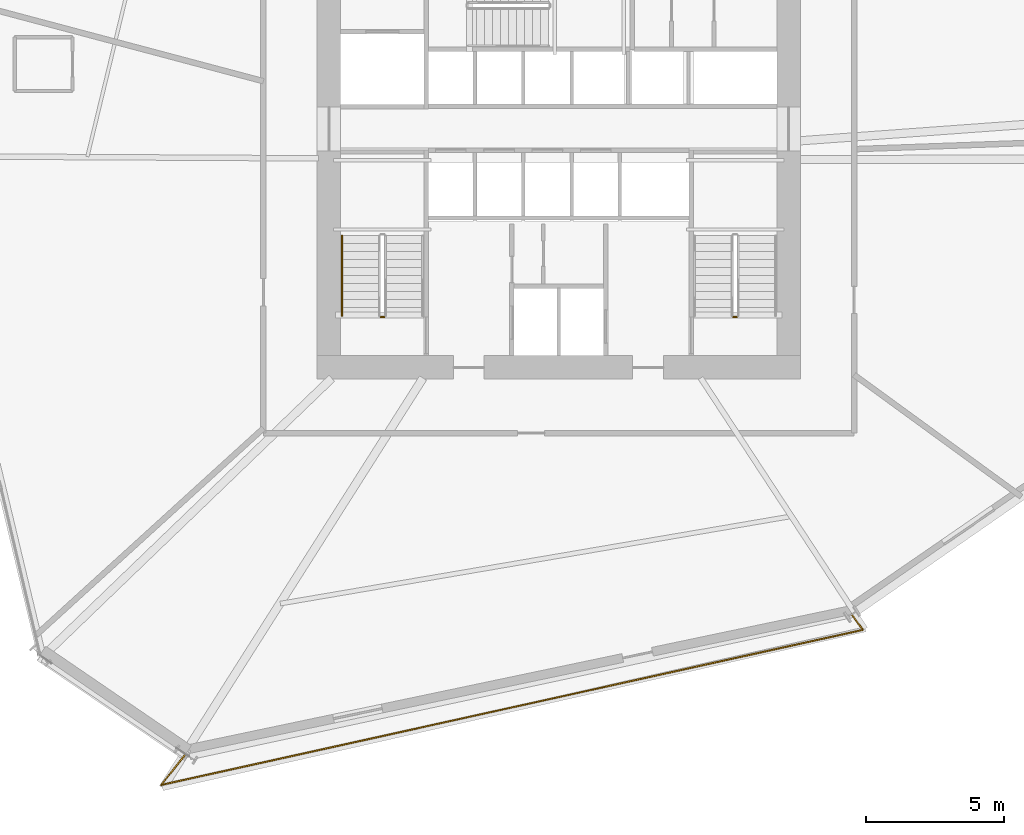
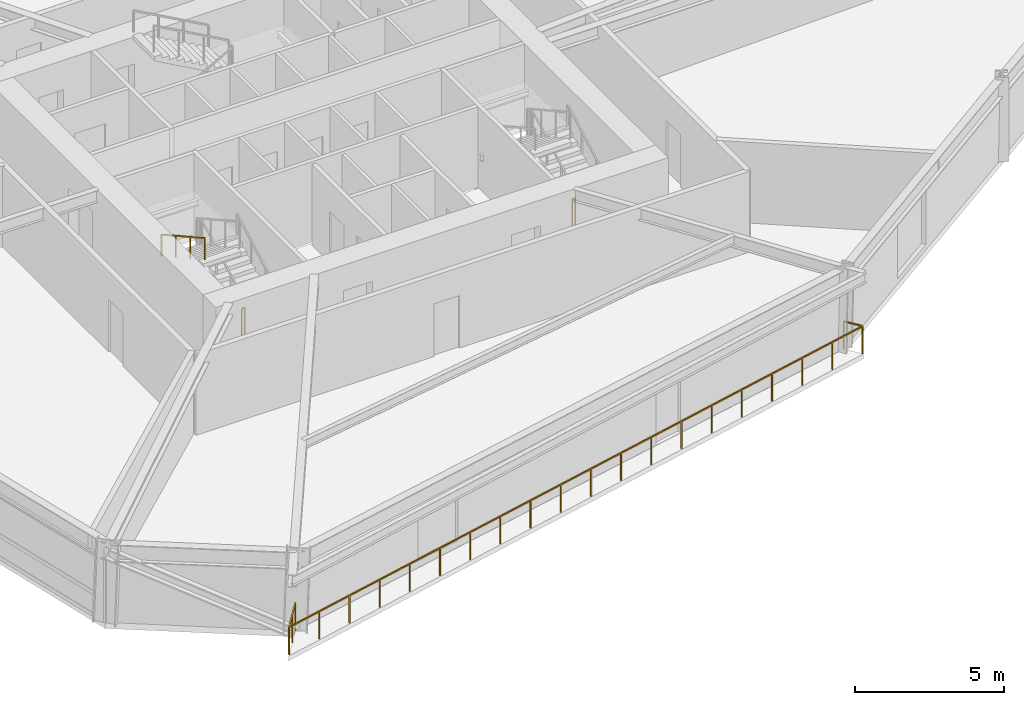
# One storey, part 21 of 24: 4 railings.
"""IFC4 building model written with IfcOpenShell, lengths in metres."""

from ifc_helpers import new_model, si_unit, direction, frame, origin, origin_2d, place, context, subcontext, project, spatial, rectangle, extrude, material, type_object, element, save


model = new_model("IFC4")

# Units and contexts
model_context = context("Model", 3, precision=1e-05, world=origin(), true_north=direction((0.0, 1.0)))
body_context = subcontext(model_context, "Body", "Model", "MODEL_VIEW")
ifc_project = project(units=[si_unit("LENGTHUNIT", "METRE"), si_unit("AREAUNIT", "SQUARE_METRE"), si_unit("VOLUMEUNIT", "CUBIC_METRE"), si_unit("PLANEANGLEUNIT", "RADIAN"), si_unit("MASSUNIT", "GRAM", prefix="KILO")], contexts=[model_context])

# Site, building, storey
site_placement = place(None, origin())
site = spatial("IfcSite", under=ifc_project, at=site_placement, CompositionType="ELEMENT")
building_placement = place(site_placement, origin())
building = spatial("IfcBuilding", under=site, at=building_placement, Name="Olszyna Solenne Hotel", CompositionType="ELEMENT")
storey_placement = place(building_placement, frame((0.0, 0.0, 36.39990234375)))
storey = spatial("IfcBuildingStorey", under=building, at=storey_placement, Name="L08", CompositionType="ELEMENT", Elevation=36.39990234375)

# Railings
ifc_material_1 = material(Name="Anodised bronze aluminium", Category="aluminium")
railing_type_1 = type_object("IfcRailingType", Name="GR-110", PredefinedType="BALUSTRADE", material=ifc_material_1)
railing_1_placement = place(storey_placement, frame((24.4794921875, 5.0615234375, 0.0)))
element("IfcRailing", 1, at=railing_1_placement, inside=storey, type_object=railing_type_1, Name="Loggia balcony balustrade guard GR-L08-LG3", PredefinedType="BALUSTRADE", context=body_context, shape_type="SweptSolid", body=[
    extrude(rectangle(XDim=0.048095703125, YDim=0.048095703125, at=origin_2d()), frame((0.0, 0.0, 1.1259765625), z_axis=(-0.622425324872, -0.782679190319, 0.0), x_axis=(0.782679190319, -0.622425324872, 0.0)), (0.0, 0.0, 1.0), 1.41845703125),
    extrude(rectangle(XDim=0.048095703125, YDim=0.048095703125, at=origin_2d()), frame((-0.8828125, -1.110107421875, 1.1259765625), z_axis=(0.976434222361, 0.215815220507, 0.0), x_axis=(-0.215815220507, 0.976434222361, 0.0)), (0.0, 0.0, 1.0), 26.033447265625),
    extrude(rectangle(XDim=0.048095703125, YDim=0.048095703125, at=origin_2d()), frame((24.537109375, 4.50830078125, 1.1259765625), z_axis=(-0.586549848515, 0.809913128185, 0.0), x_axis=(-0.809913128185, -0.586549848515, 0.0)), (0.0, 0.0, 1.0), 0.689697265625),
    extrude(rectangle(XDim=0.0419921875, YDim=0.0419921875, at=origin_2d()), origin(), (0.0, 0.0, 1.0), 1.101806640625),
    extrude(rectangle(XDim=0.0419921875, YDim=0.0419921875, at=origin_2d()), frame((-0.44140625, -0.55517578125, 0.0)), (0.0, 0.0, 1.0), 1.101806640625),
    extrude(rectangle(XDim=0.0419921875, YDim=0.0419921875, at=origin_2d()), frame((-0.8828125, -1.110107421875, 0.0)), (0.0, 0.0, 1.0), 1.101806640625),
    extrude(rectangle(XDim=0.0419921875, YDim=0.0419921875, at=origin_2d()), frame((0.455078125, -0.814453125, 0.0)), (0.0, 0.0, 1.0), 1.101806640625),
    extrude(rectangle(XDim=0.0419921875, YDim=0.0419921875, at=origin_2d()), frame((1.79296875, -0.518798828125, 0.0)), (0.0, 0.0, 1.0), 1.101806640625),
    extrude(rectangle(XDim=0.0419921875, YDim=0.0419921875, at=origin_2d()), frame((3.130859375, -0.222900390625, 0.0)), (0.0, 0.0, 1.0), 1.101806640625),
    extrude(rectangle(XDim=0.0419921875, YDim=0.0419921875, at=origin_2d()), frame((4.46875, 0.07275390625, 0.0)), (0.0, 0.0, 1.0), 1.101806640625),
    extrude(rectangle(XDim=0.0419921875, YDim=0.0419921875, at=origin_2d()), frame((5.806640625, 0.368408203125, 0.0)), (0.0, 0.0, 1.0), 1.101806640625),
    extrude(rectangle(XDim=0.0419921875, YDim=0.0419921875, at=origin_2d()), frame((7.14453125, 0.6640625, 0.0)), (0.0, 0.0, 1.0), 1.101806640625),
    extrude(rectangle(XDim=0.0419921875, YDim=0.0419921875, at=origin_2d()), frame((8.482421875, 0.959716796875, 0.0)), (0.0, 0.0, 1.0), 1.101806640625),
    extrude(rectangle(XDim=0.0419921875, YDim=0.0419921875, at=origin_2d()), frame((9.8203125, 1.255615234375, 0.0)), (0.0, 0.0, 1.0), 1.101806640625),
    extrude(rectangle(XDim=0.0419921875, YDim=0.0419921875, at=origin_2d()), frame((11.158203125, 1.55126953125, 0.0)), (0.0, 0.0, 1.0), 1.101806640625),
    extrude(rectangle(XDim=0.0419921875, YDim=0.0419921875, at=origin_2d()), frame((12.49609375, 1.846923828125, 0.0)), (0.0, 0.0, 1.0), 1.101806640625),
    extrude(rectangle(XDim=0.0419921875, YDim=0.0419921875, at=origin_2d()), frame((13.833984375, 2.142578125, 0.0)), (0.0, 0.0, 1.0), 1.101806640625),
    extrude(rectangle(XDim=0.0419921875, YDim=0.0419921875, at=origin_2d()), frame((15.171875, 2.4384765625, 0.0)), (0.0, 0.0, 1.0), 1.101806640625),
    extrude(rectangle(XDim=0.0419921875, YDim=0.0419921875, at=origin_2d()), frame((16.509765625, 2.734130859375, 0.0)), (0.0, 0.0, 1.0), 1.101806640625),
    extrude(rectangle(XDim=0.0419921875, YDim=0.0419921875, at=origin_2d()), frame((17.84765625, 3.02978515625, 0.0)), (0.0, 0.0, 1.0), 1.101806640625),
    extrude(rectangle(XDim=0.0419921875, YDim=0.0419921875, at=origin_2d()), frame((19.185546875, 3.325439453125, 0.0)), (0.0, 0.0, 1.0), 1.101806640625),
    extrude(rectangle(XDim=0.0419921875, YDim=0.0419921875, at=origin_2d()), frame((20.5234375, 3.62109375, 0.0)), (0.0, 0.0, 1.0), 1.101806640625),
    extrude(rectangle(XDim=0.0419921875, YDim=0.0419921875, at=origin_2d()), frame((21.861328125, 3.9169921875, 0.0)), (0.0, 0.0, 1.0), 1.101806640625),
    extrude(rectangle(XDim=0.0419921875, YDim=0.0419921875, at=origin_2d()), frame((23.19921875, 4.212646484375, 0.0)), (0.0, 0.0, 1.0), 1.101806640625),
    extrude(rectangle(XDim=0.0419921875, YDim=0.0419921875, at=origin_2d()), frame((24.537109375, 4.50830078125, 0.0)), (0.0, 0.0, 1.0), 1.101806640625),
    extrude(rectangle(XDim=0.0419921875, YDim=0.0419921875, at=origin_2d()), frame((24.132568359375, 5.06689453125, 0.0)), (0.0, 0.0, 1.0), 1.101806640625),
])
for number, where, name in (
    (2, (31.669921875, 20.89990234375, 0.0), "L08 ST1 stair guard 4"),
    (3, (44.449951171875, 20.89990234375, 0.0), "L08 ST2 stair guard 4"),
):
    element("IfcRailing", number, at=place(storey_placement, frame(where)), inside=storey, type_object=railing_type_1, Name=name, PredefinedType="BALUSTRADE", context=body_context, shape_type="SweptSolid", body=[
        extrude(rectangle(XDim=0.048095703125, YDim=0.048095703125, at=origin_2d()), frame((0.0, 0.0, 1.076171875), z_axis=(-1.0, 0.0, 0.0), x_axis=(0.0, -1.0, 0.0)), (0.0, 0.0, 1.0), 0.119873046875),
        extrude(rectangle(XDim=0.0419921875, YDim=0.0419921875, at=origin_2d()), origin(), (0.0, 0.0, 1.0), 1.052001953125),
        extrude(rectangle(XDim=0.0419921875, YDim=0.0419921875, at=origin_2d()), frame((-0.119873046875, 0.0, 0.0)), (0.0, 0.0, 1.0), 1.052001953125),
    ])
ifc_material_2 = material(Name="Steel S355J2", Category="steel")
railing_type_2 = type_object("IfcRailingType", Name="HR-090", PredefinedType="HANDRAIL", material=ifc_material_2)
railing_2_placement = place(storey_placement, frame((30.14990234375, 23.85009765625, 1.9365234375)))
element("IfcRailing", 4, at=railing_2_placement, inside=storey, type_object=railing_type_2, Name="L08 ST1 stair handrail 2", PredefinedType="HANDRAIL", context=body_context, shape_type="SweptSolid", body=[
    extrude(rectangle(XDim=0.048095703125, YDim=0.048095703125, at=origin_2d()), frame((0.0, 0.0, 0.8759765625), z_axis=(0.0, -0.873858693841, 0.486179990537), x_axis=(1.0, 0.0, 0.0)), (0.0, 0.0, 1.0), 3.31884765625),
    extrude(rectangle(XDim=0.0419921875, YDim=0.0419921875, at=origin_2d()), origin(), (0.0, 0.0, 1.0), 0.851806640625),
    extrude(rectangle(XDim=0.0419921875, YDim=0.0419921875, at=origin_2d()), frame((0.0, -0.966796875, 0.537841796875)), (0.0, 0.0, 1.0), 0.851806640625),
    extrude(rectangle(XDim=0.0419921875, YDim=0.0419921875, at=origin_2d()), frame((0.0, -1.933349609375, 1.07568359375)), (0.0, 0.0, 1.0), 0.851806640625),
    extrude(rectangle(XDim=0.0419921875, YDim=0.0419921875, at=origin_2d()), frame((0.0, -2.900146484375, 1.613525390625)), (0.0, 0.0, 1.0), 0.851806640625),
])

save(model, "model.ifc")
